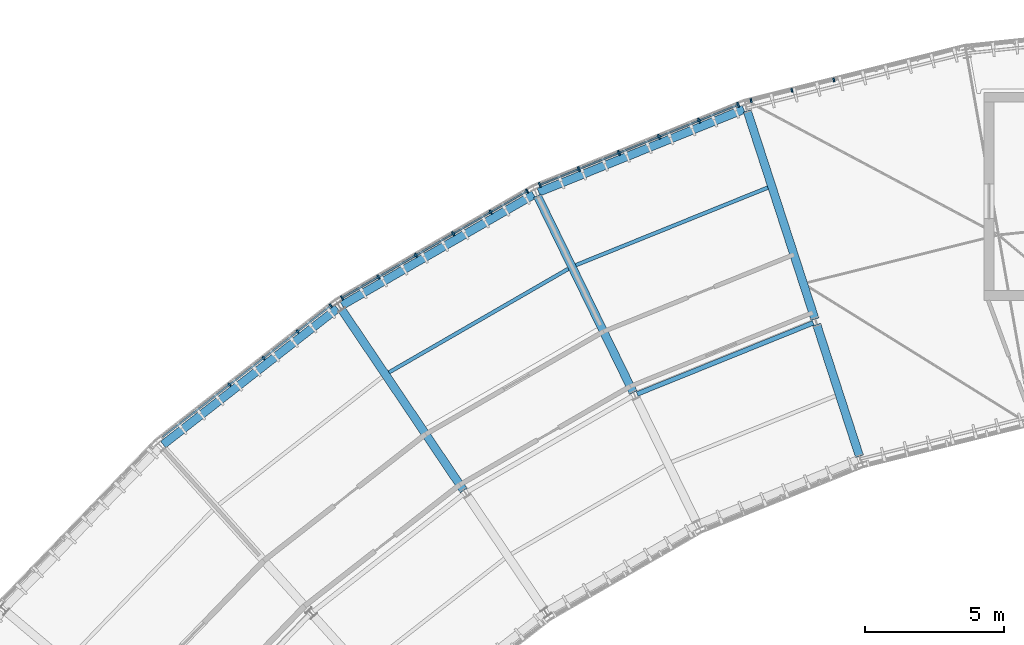
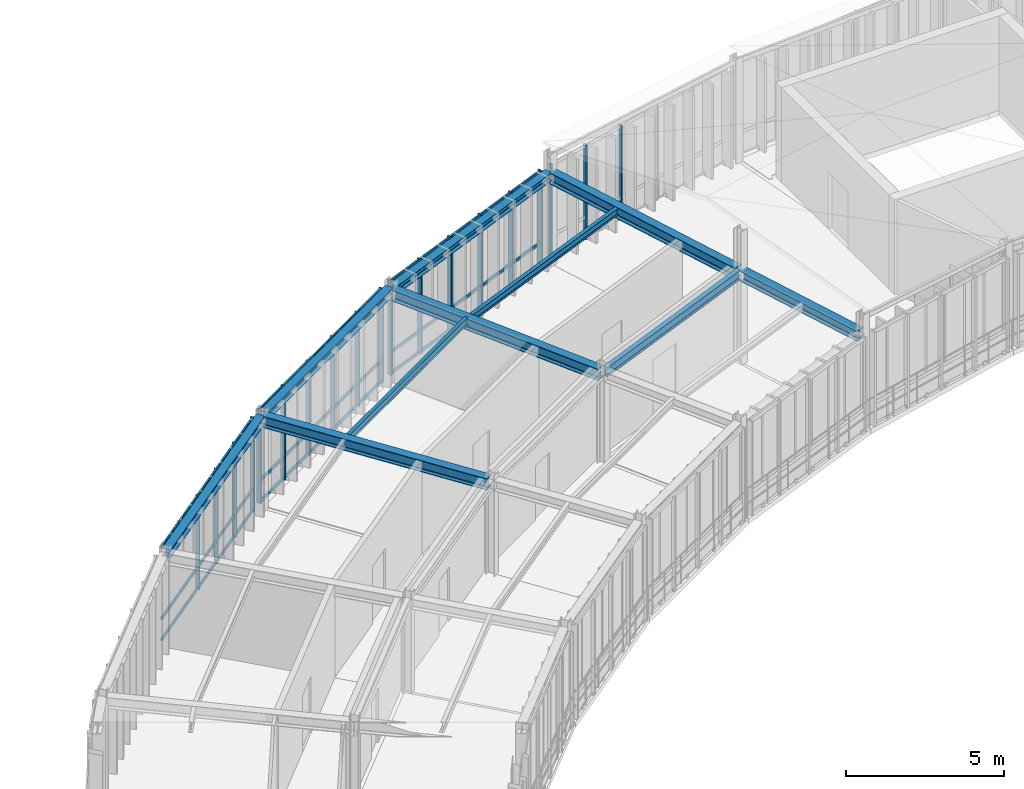
# One storey, part 14 of 42: 28 members, 10 beams, 4 elements without a shape of their own.
"""IFC4 building model written with IfcOpenShell, lengths in metres."""

from ifc_helpers import new_model, si_unit, direction, frame, origin, origin_2d, place, context, subcontext, project, spatial, rectangle, i_section, extrude, material, layer, layer_set, material_profile, profile_set, type_object, element, aggregate, save


model = new_model("IFC4")

# Units and contexts
model_context = context("Model", 3, precision=1e-05, world=origin(), true_north=direction((0.0, 1.0)))
body_context = subcontext(model_context, "Body", "Model", "MODEL_VIEW")
ifc_project = project(units=[si_unit("LENGTHUNIT", "METRE"), si_unit("AREAUNIT", "SQUARE_METRE"), si_unit("VOLUMEUNIT", "CUBIC_METRE"), si_unit("PLANEANGLEUNIT", "RADIAN"), si_unit("MASSUNIT", "GRAM", prefix="KILO"), si_unit("THERMODYNAMICTEMPERATUREUNIT", "KELVIN"), si_unit("POWERUNIT", "WATT")], contexts=[model_context])

# Site, building, storey
site_placement = place(None, origin())
site = spatial("IfcSite", under=ifc_project, at=site_placement, CompositionType="ELEMENT")
building_placement = place(site_placement, origin())
building = spatial("IfcBuilding", under=site, at=building_placement, Name="Solvatero Civic Police Headquarters", CompositionType="ELEMENT")
storey_placement = place(building_placement, frame((0.0, 0.0, 21.60009765625)))
storey = spatial("IfcBuildingStorey", under=building, at=storey_placement, Name="L05", CompositionType="ELEMENT", Elevation=21.60009765625)

# Beams
ifc_material_1 = material(Name="Steel S355", Category="steel")
ifc_material_profile_1 = material_profile(ifc_material_1, i_section(OverallWidth=0.300048828125, OverallDepth=0.31005859375, WebThickness=0.009033203125, FlangeThickness=0.015380859375, FilletRadius=0.027099609375, at=origin_2d()), Name="HEA 320")
ifc_profile_set_1 = profile_set([ifc_material_profile_1], Name="Steel S355")
beam_type_1 = type_object("IfcBeamType", Name="BM-ST-HEA320", PredefinedType="SPANDREL", material=ifc_profile_set_1)
beam_1_placement = place(storey_placement, frame((75.783447265625, 81.741943359375, 3.48486328125), z_axis=(-0.927188731, -0.374594523594, 0.0), x_axis=(0.374594523594, -0.927188731, 0.0)))
element("IfcBeam", 1, at=beam_1_placement, inside=storey, type_object=beam_type_1, Name="Perimeter / radial spandrel beam BM-R2-L05-ARC-COUT-B04", PredefinedType="SPANDREL", context=body_context, shape_type="SweptSolid", body=[
    extrude(i_section(OverallWidth=0.300048828125, OverallDepth=0.31005859375, WebThickness=0.009033203125, FlangeThickness=0.015380859375, FilletRadius=0.027099609375, at=origin_2d()), origin(), (0.0, 0.0, 1.0), 7.982666015625),
])
for number, where, z_axis, x_axis, name in (
    (2, (68.202880859375, 78.664306640625, 3.544921875), (-0.866028717572, -0.499994260308, 0.0), (0.499994260308, -0.866028717572, 0.0), "Perimeter / radial spandrel beam BM-R2-L05-ARC-COUT-B05"),
    (3, (61.12451171875, 74.5615234375, 3.544921875), (-0.788008144593, -0.615664814696, 0.0), (0.615664814696, -0.788008144593, 0.0), "Perimeter / radial spandrel beam BM-R2-L05-ARC-COUT-B06"),
):
    element("IfcBeam", number, at=place(storey_placement, frame(where, z_axis=z_axis, x_axis=x_axis)), inside=storey, type_object=beam_type_1, Name=name, PredefinedType="SPANDREL", context=body_context, shape_type="SweptSolid", body=[
        extrude(i_section(OverallWidth=0.300048828125, OverallDepth=0.31005859375, WebThickness=0.009033203125, FlangeThickness=0.015380859375, FilletRadius=0.027099609375, at=origin_2d()), origin(), (0.0, 0.0, 1.0), 7.982421875),
    ])
ifc_material_profile_2 = material_profile(ifc_material_1, i_section(OverallWidth=0.300048828125, OverallDepth=0.389892578125, WebThickness=0.010986328125, FlangeThickness=0.01904296875, FilletRadius=0.027099609375, at=origin_2d()), Name="HEA 400")
ifc_profile_set_2 = profile_set([ifc_material_profile_2], Name="Steel S355")
beam_type_2 = type_object("IfcBeamType", Name="BM-ST-HEA400", PredefinedType="BEAM", material=ifc_profile_set_2)
beam_2_placement = place(storey_placement, frame((79.955078125, 69.2255859375, 3.44482421875), z_axis=(-0.308996636599, 0.951063130697, 0.0), x_axis=(-0.951063130697, -0.308996636599, 0.0)))
element("IfcBeam", 4, at=beam_2_placement, inside=storey, type_object=beam_type_2, Name="Primary girder BM-R2-L05-ARC-RAD1-S03", PredefinedType="BEAM", context=body_context, shape_type="SweptSolid", body=[
    extrude(i_section(OverallWidth=0.300048828125, OverallDepth=0.389892578125, WebThickness=0.010986328125, FlangeThickness=0.01904296875, FilletRadius=0.027099609375, at=origin_2d()), origin(), (0.0, 0.0, 1.0), 4.999755859375),
])
ifc_material_profile_3 = material_profile(ifc_material_1, i_section(OverallWidth=0.300048828125, OverallDepth=0.43994140625, WebThickness=0.011474609375, FlangeThickness=0.02099609375, FilletRadius=0.027099609375, at=origin_2d()), Name="HEA 450")
ifc_profile_set_3 = profile_set([ifc_material_profile_3], Name="Steel S355")
beam_type_3 = type_object("IfcBeamType", Name="BM-ST-HEA450", PredefinedType="BEAM", material=ifc_profile_set_3)
for number, where, z_axis, x_axis, name in (
    (5, (78.348388671875, 74.1708984375, 3.419921875), (-0.309033663672, 0.951051099951, 0.0), (-0.951051099951, -0.309033663672, 0.0), "Primary girder BM-R2-L05-ARC-RAD2-S03"),
    (6, (71.79638671875, 71.52392578125, 3.419921875), (-0.438365789194, 0.898796659353, 0.0), (-0.898796659353, -0.438365789194, 0.0), "Primary girder BM-R2-L05-ARC-RAD2-S04"),
    (7, (65.677001953125, 67.99072265625, 3.47998046875), (-0.559192054274, 0.829038145345, 0.0), (-0.829038145345, -0.559192054274, 0.0), "Primary girder BM-R2-L05-ARC-RAD2-S05"),
):
    element("IfcBeam", number, at=place(storey_placement, frame(where, z_axis=z_axis, x_axis=x_axis)), inside=storey, type_object=beam_type_3, Name=name, PredefinedType="BEAM", context=body_context, shape_type="SweptSolid", body=[
        extrude(i_section(OverallWidth=0.300048828125, OverallDepth=0.43994140625, WebThickness=0.011474609375, FlangeThickness=0.02099609375, FilletRadius=0.027099609375, at=origin_2d()), origin(), (0.0, 0.0, 1.0), 7.900146484375),
    ])
ifc_material_profile_4 = material_profile(ifc_material_1, i_section(OverallWidth=0.135009765625, OverallDepth=0.27001953125, WebThickness=0.006591796875, FlangeThickness=0.01025390625, FilletRadius=0.014892578125, at=origin_2d()), Name="IPE 270")
ifc_profile_set_4 = profile_set([ifc_material_profile_4], Name="Steel S355")
beam_type_4 = type_object("IfcBeamType", Name="BM-ST-IPE270", PredefinedType="BEAM", material=ifc_profile_set_4)
for number, where, z_axis, x_axis, name in (
    (8, (76.648681640625, 78.91748046875, 3.5048828125), (-0.92718880438, -0.374594341966, 0.0), (0.374594341966, -0.92718880438, 0.0), "Composite floor beam BM-R2-L05-ARC-CS2-B04"),
    (9, (69.452880859375, 75.98779296875, 3.56494140625), (-0.866030490612, -0.499991189252, 0.0), (0.499991189252, -0.866030490612, 0.0), "Composite floor beam BM-R2-L05-ARC-CS2-B05"),
):
    element("IfcBeam", number, at=place(storey_placement, frame(where, z_axis=z_axis, x_axis=x_axis)), inside=storey, type_object=beam_type_4, Name=name, PredefinedType="BEAM", context=body_context, shape_type="SweptSolid", body=[
        extrude(i_section(OverallWidth=0.135009765625, OverallDepth=0.27001953125, WebThickness=0.006591796875, FlangeThickness=0.01025390625, FilletRadius=0.014892578125, at=origin_2d()), origin(), (0.0, 0.0, 1.0), 7.470947265625),
    ])
ifc_material_profile_5 = material_profile(ifc_material_1, i_section(OverallWidth=0.169921875, OverallDepth=0.360107421875, WebThickness=0.008056640625, FlangeThickness=0.0126953125, FilletRadius=0.01806640625, at=origin_2d()), Name="IPE 360")
ifc_profile_set_5 = profile_set([ifc_material_profile_5], Name="Steel S355")
beam_type_5 = type_object("IfcBeamType", Name="BM-ST-IPE360", PredefinedType="BEAM", material=ifc_profile_set_5)
beam_3_placement = place(storey_placement, frame((78.28662109375, 74.038330078125, 3.4599609375), z_axis=(-0.927188538339, -0.374595000465, 0.0), x_axis=(0.374595000465, -0.927188538339, 0.0)))
element("IfcBeam", 10, at=beam_3_placement, inside=storey, type_object=beam_type_5, Name="Composite floor beam BM-R2-L05-ARC-CMID-B04", PredefinedType="BEAM", context=body_context, shape_type="SweptSolid", body=[
    extrude(i_section(OverallWidth=0.169921875, OverallDepth=0.360107421875, WebThickness=0.008056640625, FlangeThickness=0.0126953125, FilletRadius=0.01806640625, at=origin_2d()), origin(), (0.0, 0.0, 1.0), 6.8525390625),
])

# Curtain wall, members
ifc_material_2 = material(Name="Anodized Bronze Aluminium", Category="aluminium")
ifc_layer = layer(ifc_material_2, 0.179931640625)
ifc_layer_set = layer_set([ifc_layer], Name="Anodized Bronze Aluminium")
curtain_wall_type = type_object("IfcCurtainWallType", Name="CW-ARC-OUT", PredefinedType="USERDEFINED", material=ifc_layer_set)
curtain_wall_1_placement = place(storey_placement, origin())
curtain_wall_1 = element("IfcCurtainWall", 11, at=curtain_wall_1_placement, inside=storey, type_object=curtain_wall_type, Name="Curtain Wall CW-R2-L05-ARC-OUT-B03", ObjectType="UNITISED", PredefinedType="USERDEFINED")
ifc_material_profile_6 = material_profile(ifc_material_2, rectangle(XDim=0.06005859375, YDim=0.139892578125, at=origin_2d()), Name="ALU MULLION 60x140")
ifc_profile_set_6 = profile_set([ifc_material_profile_6], Name="Anodized Bronze Aluminium")
member_type_1 = type_object("IfcMemberType", Name="CWM-160x65", PredefinedType="MULLION", material=ifc_profile_set_6)
member_1_placement = place(storey_placement, frame((79.029296875, 82.802001953125, 0.0), z_axis=(0.0, 0.0, 1.0), x_axis=(-0.970295726276, -0.2419218956, 0.0)))
member_1 = element("IfcMember", 12, at=member_1_placement, type_object=member_type_1, Name="CW-R2-L05-ARC-OUT-B03 Mullion 4", PredefinedType="MULLION", context=body_context, shape_type="SweptSolid", body=[
    extrude(rectangle(XDim=0.06005859375, YDim=0.139892578125, at=origin_2d()), origin(), (0.0, 0.0, 1.0), 3.639892578125),
])
member_2_placement = place(storey_placement, frame((77.517333984375, 82.425048828125, 0.0), z_axis=(0.0, 0.0, 1.0), x_axis=(-0.970295726276, -0.2419218956, 0.0)))
member_2 = element("IfcMember", 13, at=member_2_placement, type_object=member_type_1, Name="CW-R2-L05-ARC-OUT-B03 Mullion 5", PredefinedType="MULLION", context=body_context, shape_type="SweptSolid", body=[
    extrude(rectangle(XDim=0.06005859375, YDim=0.139892578125, at=origin_2d()), origin(), (0.0, 0.0, 1.0), 3.639892578125),
])
member_3_placement = place(storey_placement, frame((76.0439453125, 82.0576171875, 0.0), z_axis=(0.0, 0.0, 1.0), x_axis=(-0.970295726276, -0.2419218956, 0.0)))
member_3 = element("IfcMember", 14, at=member_3_placement, type_object=member_type_1, Name="CW-R2-L05-ARC-OUT-B03 Mullion 6", PredefinedType="MULLION", context=body_context, shape_type="SweptSolid", body=[
    extrude(rectangle(XDim=0.06005859375, YDim=0.139892578125, at=origin_2d()), origin(), (0.0, 0.0, 1.0), 3.639892578125),
])
aggregate(curtain_wall_1, [member_1, member_2, member_3])

curtain_wall_2_placement = place(storey_placement, origin())
curtain_wall_2 = element("IfcCurtainWall", 15, at=curtain_wall_2_placement, inside=storey, type_object=curtain_wall_type, Name="Curtain Wall CW-R2-L05-ARC-OUT-B06", ObjectType="UNITISED", PredefinedType="USERDEFINED")
member_4_placement = place(storey_placement, frame((60.880859375, 74.662353515625, 0.0), z_axis=(0.0, 0.0, 1.0), x_axis=(-0.788010753607, -0.615661475326, 0.0)))
member_4 = element("IfcMember", 16, at=member_4_placement, type_object=member_type_1, Name="CW-R2-L05-ARC-OUT-B06 Mullion 1", PredefinedType="MULLION", context=body_context, shape_type="SweptSolid", body=[
    extrude(rectangle(XDim=0.06005859375, YDim=0.139892578125, at=origin_2d()), origin(), (0.0, 0.0, 1.0), 3.639892578125),
])
member_5_placement = place(storey_placement, frame((59.684326171875, 73.727294921875, 0.0), z_axis=(0.0, 0.0, 1.0), x_axis=(-0.788010753607, -0.615661475326, 0.0)))
member_5 = element("IfcMember", 17, at=member_5_placement, type_object=member_type_1, Name="CW-R2-L05-ARC-OUT-B06 Mullion 2", PredefinedType="MULLION", context=body_context, shape_type="SweptSolid", body=[
    extrude(rectangle(XDim=0.06005859375, YDim=0.139892578125, at=origin_2d()), origin(), (0.0, 0.0, 1.0), 3.639892578125),
])
member_6_placement = place(storey_placement, frame((58.456298828125, 72.767822265625, 0.0), z_axis=(0.0, 0.0, 1.0), x_axis=(-0.788010753607, -0.615661475326, 0.0)))
member_6 = element("IfcMember", 18, at=member_6_placement, type_object=member_type_1, Name="CW-R2-L05-ARC-OUT-B06 Mullion 3", PredefinedType="MULLION", context=body_context, shape_type="SweptSolid", body=[
    extrude(rectangle(XDim=0.06005859375, YDim=0.139892578125, at=origin_2d()), origin(), (0.0, 0.0, 1.0), 3.639892578125),
])
member_7_placement = place(storey_placement, frame((57.22802734375, 71.808349609375, 0.0), z_axis=(0.0, 0.0, 1.0), x_axis=(-0.788010753607, -0.615661475326, 0.0)))
member_7 = element("IfcMember", 19, at=member_7_placement, type_object=member_type_1, Name="CW-R2-L05-ARC-OUT-B06 Mullion 4", PredefinedType="MULLION", context=body_context, shape_type="SweptSolid", body=[
    extrude(rectangle(XDim=0.06005859375, YDim=0.139892578125, at=origin_2d()), origin(), (0.0, 0.0, 1.0), 3.639892578125),
])

curtain_wall_3_placement = place(storey_placement, origin())
curtain_wall_3 = element("IfcCurtainWall", 20, at=curtain_wall_3_placement, inside=storey, type_object=curtain_wall_type, Name="Curtain Wall CW-R2-L05-ARC-OUT-B05", ObjectType="UNITISED", PredefinedType="USERDEFINED")
ifc_material_profile_7 = material_profile(ifc_material_2, rectangle(XDim=0.06005859375, YDim=0.159912109375, at=origin_2d()), Name="ALU MULLION 60x160")
ifc_profile_set_7 = profile_set([ifc_material_profile_7], Name="Anodized Bronze Aluminium")
member_type_2 = type_object("IfcMemberType", Name="CWM-180x70", PredefinedType="MULLION", material=ifc_profile_set_7)
member_8_placement = place(storey_placement, frame((67.967041015625, 78.79296875, 0.0), z_axis=(0.0, 0.0, 1.0), x_axis=(-0.866034130299, -0.499984884929, 0.0)))
member_8 = element("IfcMember", 21, at=member_8_placement, type_object=member_type_2, Name="CW-R2-L05-ARC-OUT-B05 Mullion 1", PredefinedType="MULLION", context=body_context, shape_type="SweptSolid", body=[
    extrude(rectangle(XDim=0.06005859375, YDim=0.159912109375, at=origin_2d()), origin(), (0.0, 0.0, 1.0), 3.639892578125),
])
member_9_placement = place(storey_placement, frame((66.65185546875, 78.03369140625, 0.0), z_axis=(0.0, 0.0, 1.0), x_axis=(-0.866034130299, -0.499984884929, 0.0)))
member_9 = element("IfcMember", 22, at=member_9_placement, type_object=member_type_2, Name="CW-R2-L05-ARC-OUT-B05 Mullion 2", PredefinedType="MULLION", context=body_context, shape_type="SweptSolid", body=[
    extrude(rectangle(XDim=0.06005859375, YDim=0.159912109375, at=origin_2d()), origin(), (0.0, 0.0, 1.0), 3.639892578125),
])
member_10_placement = place(storey_placement, frame((65.30224609375, 77.25439453125, 0.0), z_axis=(0.0, 0.0, 1.0), x_axis=(-0.866034130299, -0.499984884929, 0.0)))
member_10 = element("IfcMember", 23, at=member_10_placement, type_object=member_type_2, Name="CW-R2-L05-ARC-OUT-B05 Mullion 3", PredefinedType="MULLION", context=body_context, shape_type="SweptSolid", body=[
    extrude(rectangle(XDim=0.06005859375, YDim=0.159912109375, at=origin_2d()), origin(), (0.0, 0.0, 1.0), 3.639892578125),
])
member_11_placement = place(storey_placement, frame((63.95263671875, 76.47509765625, 0.0), z_axis=(0.0, 0.0, 1.0), x_axis=(-0.866034130299, -0.499984884929, 0.0)))
member_11 = element("IfcMember", 24, at=member_11_placement, type_object=member_type_2, Name="CW-R2-L05-ARC-OUT-B05 Mullion 4", PredefinedType="MULLION", context=body_context, shape_type="SweptSolid", body=[
    extrude(rectangle(XDim=0.06005859375, YDim=0.159912109375, at=origin_2d()), origin(), (0.0, 0.0, 1.0), 3.639892578125),
])
member_12_placement = place(storey_placement, frame((62.602783203125, 75.69580078125, 0.0), z_axis=(0.0, 0.0, 1.0), x_axis=(-0.866034130299, -0.499984884929, 0.0)))
member_12 = element("IfcMember", 25, at=member_12_placement, type_object=member_type_2, Name="CW-R2-L05-ARC-OUT-B05 Mullion 5", PredefinedType="MULLION", context=body_context, shape_type="SweptSolid", body=[
    extrude(rectangle(XDim=0.06005859375, YDim=0.159912109375, at=origin_2d()), origin(), (0.0, 0.0, 1.0), 3.639892578125),
])
member_13_placement = place(storey_placement, frame((61.287841796875, 74.936767578125, 0.0), z_axis=(0.0, 0.0, 1.0), x_axis=(-0.866034130299, -0.499984884929, 0.0)))
member_13 = element("IfcMember", 26, at=member_13_placement, type_object=member_type_2, Name="CW-R2-L05-ARC-OUT-B05 Mullion 6", PredefinedType="MULLION", context=body_context, shape_type="SweptSolid", body=[
    extrude(rectangle(XDim=0.06005859375, YDim=0.159912109375, at=origin_2d()), origin(), (0.0, 0.0, 1.0), 3.639892578125),
])

curtain_wall_4_placement = place(storey_placement, origin())
curtain_wall_4 = element("IfcCurtainWall", 27, at=curtain_wall_4_placement, inside=storey, type_object=curtain_wall_type, Name="Curtain Wall CW-R2-L05-ARC-OUT-B04", ObjectType="UNITISED", PredefinedType="USERDEFINED")
ifc_material_profile_8 = material_profile(ifc_material_2, rectangle(XDim=0.06494140625, YDim=0.179931640625, at=origin_2d()), Name="ALU MULLION 65x180")
ifc_profile_set_8 = profile_set([ifc_material_profile_8], Name="Anodized Bronze Aluminium")
member_type_3 = type_object("IfcMemberType", Name="CWM-200x75", PredefinedType="MULLION", material=ifc_profile_set_8)
member_14_placement = place(storey_placement, frame((75.576904296875, 81.906005859375, 0.0), z_axis=(0.0, 0.0, 1.0), x_axis=(-0.927183854567, -0.374606593416, 0.0)))
member_14 = element("IfcMember", 28, at=member_14_placement, type_object=member_type_3, Name="CW-R2-L05-ARC-OUT-B04 Mullion 1", PredefinedType="MULLION", context=body_context, shape_type="SweptSolid", body=[
    extrude(rectangle(XDim=0.06494140625, YDim=0.179931640625, at=origin_2d()), origin(), (0.0, 0.0, 1.0), 3.639892578125),
])
member_15_placement = place(storey_placement, frame((74.169189453125, 81.337158203125, 0.0), z_axis=(0.0, 0.0, 1.0), x_axis=(-0.927183854567, -0.374606593416, 0.0)))
member_15 = element("IfcMember", 29, at=member_15_placement, type_object=member_type_3, Name="CW-R2-L05-ARC-OUT-B04 Mullion 2", PredefinedType="MULLION", context=body_context, shape_type="SweptSolid", body=[
    extrude(rectangle(XDim=0.06494140625, YDim=0.179931640625, at=origin_2d()), origin(), (0.0, 0.0, 1.0), 3.639892578125),
])
member_16_placement = place(storey_placement, frame((72.72412109375, 80.75341796875, 0.0), z_axis=(0.0, 0.0, 1.0), x_axis=(-0.927183854567, -0.374606593416, 0.0)))
member_16 = element("IfcMember", 30, at=member_16_placement, type_object=member_type_3, Name="CW-R2-L05-ARC-OUT-B04 Mullion 3", PredefinedType="MULLION", context=body_context, shape_type="SweptSolid", body=[
    extrude(rectangle(XDim=0.06494140625, YDim=0.179931640625, at=origin_2d()), origin(), (0.0, 0.0, 1.0), 3.639892578125),
])
member_17_placement = place(storey_placement, frame((71.279052734375, 80.16943359375, 0.0), z_axis=(0.0, 0.0, 1.0), x_axis=(-0.927183854567, -0.374606593416, 0.0)))
member_17 = element("IfcMember", 31, at=member_17_placement, type_object=member_type_3, Name="CW-R2-L05-ARC-OUT-B04 Mullion 4", PredefinedType="MULLION", context=body_context, shape_type="SweptSolid", body=[
    extrude(rectangle(XDim=0.06494140625, YDim=0.179931640625, at=origin_2d()), origin(), (0.0, 0.0, 1.0), 3.639892578125),
])
member_18_placement = place(storey_placement, frame((69.833984375, 79.585693359375, 0.0), z_axis=(0.0, 0.0, 1.0), x_axis=(-0.927183854567, -0.374606593416, 0.0)))
member_18 = element("IfcMember", 32, at=member_18_placement, type_object=member_type_3, Name="CW-R2-L05-ARC-OUT-B04 Mullion 5", PredefinedType="MULLION", context=body_context, shape_type="SweptSolid", body=[
    extrude(rectangle(XDim=0.06494140625, YDim=0.179931640625, at=origin_2d()), origin(), (0.0, 0.0, 1.0), 3.639892578125),
])
member_19_placement = place(storey_placement, frame((68.426025390625, 79.016845703125, 0.0), z_axis=(0.0, 0.0, 1.0), x_axis=(-0.927183854567, -0.374606593416, 0.0)))
member_19 = element("IfcMember", 33, at=member_19_placement, type_object=member_type_3, Name="CW-R2-L05-ARC-OUT-B04 Mullion 6", PredefinedType="MULLION", context=body_context, shape_type="SweptSolid", body=[
    extrude(rectangle(XDim=0.06494140625, YDim=0.179931640625, at=origin_2d()), origin(), (0.0, 0.0, 1.0), 3.639892578125),
])
ifc_material_profile_9 = material_profile(ifc_material_2, rectangle(XDim=0.06005859375, YDim=0.110107421875, at=origin_2d()), Name="ALU TRANSOM 60x110")
ifc_profile_set_9 = profile_set([ifc_material_profile_9], Name="Anodized Bronze Aluminium")
member_type_4 = type_object("IfcMemberType", Name="CWT-140x60", PredefinedType="USERDEFINED", material=ifc_profile_set_9)
member_20_placement = place(storey_placement, frame((75.567626953125, 81.90234375, 0.039794921875), z_axis=(-0.927175279968, -0.374627815593, 0.0), x_axis=(0.374627815593, -0.927175279968, 0.0)))
member_20 = element("IfcMember", 34, at=member_20_placement, type_object=member_type_4, Name="CW-R2-L05-ARC-OUT-B04 Transom 1", ObjectType="TRANSOM", PredefinedType="USERDEFINED", context=body_context, shape_type="SweptSolid", body=[
    extrude(rectangle(XDim=0.06005859375, YDim=0.110107421875, at=origin_2d()), origin(), (0.0, 0.0, 1.0), 7.692626953125),
])
member_21_placement = place(storey_placement, frame((75.567626953125, 81.90234375, 0.849853515625), z_axis=(-0.927175279968, -0.374627815593, 0.0), x_axis=(0.374627815593, -0.927175279968, 0.0)))
member_21 = element("IfcMember", 35, at=member_21_placement, type_object=member_type_4, Name="CW-R2-L05-ARC-OUT-B04 Transom 2", ObjectType="TRANSOM", PredefinedType="USERDEFINED", context=body_context, shape_type="SweptSolid", body=[
    extrude(rectangle(XDim=0.06005859375, YDim=0.110107421875, at=origin_2d()), origin(), (0.0, 0.0, 1.0), 7.692626953125),
])
member_22_placement = place(storey_placement, frame((75.567626953125, 81.90234375, 3.599853515625), z_axis=(-0.927175279968, -0.374627815593, 0.0), x_axis=(0.374627815593, -0.927175279968, 0.0)))
member_22 = element("IfcMember", 36, at=member_22_placement, type_object=member_type_4, Name="CW-R2-L05-ARC-OUT-B04 Transom 3", ObjectType="TRANSOM", PredefinedType="USERDEFINED", context=body_context, shape_type="SweptSolid", body=[
    extrude(rectangle(XDim=0.06005859375, YDim=0.110107421875, at=origin_2d()), origin(), (0.0, 0.0, 1.0), 7.692626953125),
])
aggregate(curtain_wall_4, [member_14, member_15, member_16, member_17, member_18, member_19, member_20, member_21, member_22])

# Member
member_23_placement = place(storey_placement, frame((60.873046875, 74.656005859375, 0.039794921875), z_axis=(-0.788019080846, -0.615650816797, 0.0), x_axis=(0.615650816797, -0.788019080846, 0.0)))
member_23 = element("IfcMember", 37, at=member_23_placement, type_object=member_type_4, Name="CW-R2-L05-ARC-OUT-B06 Transom 1", ObjectType="TRANSOM", PredefinedType="USERDEFINED", context=body_context, shape_type="SweptSolid", body=[
    extrude(rectangle(XDim=0.06005859375, YDim=0.110107421875, at=origin_2d()), origin(), (0.0, 0.0, 1.0), 7.6923828125),
])

member_24_placement = place(storey_placement, frame((60.873046875, 74.656005859375, 0.849853515625), z_axis=(-0.788019080846, -0.615650816797, 0.0), x_axis=(0.615650816797, -0.788019080846, 0.0)))
member_24 = element("IfcMember", 38, at=member_24_placement, type_object=member_type_4, Name="CW-R2-L05-ARC-OUT-B06 Transom 2", ObjectType="TRANSOM", PredefinedType="USERDEFINED", context=body_context, shape_type="SweptSolid", body=[
    extrude(rectangle(XDim=0.06005859375, YDim=0.110107421875, at=origin_2d()), origin(), (0.0, 0.0, 1.0), 7.6923828125),
])

member_25_placement = place(storey_placement, frame((60.873046875, 74.656005859375, 3.599853515625), z_axis=(-0.788019080846, -0.615650816797, 0.0), x_axis=(0.615650816797, -0.788019080846, 0.0)))
member_25 = element("IfcMember", 39, at=member_25_placement, type_object=member_type_4, Name="CW-R2-L05-ARC-OUT-B06 Transom 3", ObjectType="TRANSOM", PredefinedType="USERDEFINED", context=body_context, shape_type="SweptSolid", body=[
    extrude(rectangle(XDim=0.06005859375, YDim=0.110107421875, at=origin_2d()), origin(), (0.0, 0.0, 1.0), 7.6923828125),
])

aggregate(curtain_wall_2, [member_4, member_5, member_6, member_7, member_23, member_24, member_25])

ifc_material_profile_10 = material_profile(ifc_material_2, rectangle(XDim=0.06005859375, YDim=0.125, at=origin_2d()), Name="ALU TRANSOM 60x125")
ifc_profile_set_10 = profile_set([ifc_material_profile_10], Name="Anodized Bronze Aluminium")
member_type_5 = type_object("IfcMemberType", Name="CWT-160x65", PredefinedType="USERDEFINED", material=ifc_profile_set_10)
member_26_placement = place(storey_placement, frame((67.958251953125, 78.787841796875, 0.039794921875), z_axis=(-0.866041301255, -0.499972463762, 0.0), x_axis=(0.499972463762, -0.866041301255, 0.0)))
member_26 = element("IfcMember", 40, at=member_26_placement, type_object=member_type_5, Name="CW-R2-L05-ARC-OUT-B05 Transom 1", ObjectType="TRANSOM", PredefinedType="USERDEFINED", context=body_context, shape_type="SweptSolid", body=[
    extrude(rectangle(XDim=0.06005859375, YDim=0.125, at=origin_2d()), origin(), (0.0, 0.0, 1.0), 7.6923828125),
])

member_27_placement = place(storey_placement, frame((67.958251953125, 78.787841796875, 0.849853515625), z_axis=(-0.866041301255, -0.499972463762, 0.0), x_axis=(0.499972463762, -0.866041301255, 0.0)))
member_27 = element("IfcMember", 41, at=member_27_placement, type_object=member_type_5, Name="CW-R2-L05-ARC-OUT-B05 Transom 2", ObjectType="TRANSOM", PredefinedType="USERDEFINED", context=body_context, shape_type="SweptSolid", body=[
    extrude(rectangle(XDim=0.06005859375, YDim=0.125, at=origin_2d()), origin(), (0.0, 0.0, 1.0), 7.6923828125),
])

member_28_placement = place(storey_placement, frame((67.958251953125, 78.787841796875, 3.599853515625), z_axis=(-0.866041301255, -0.499972463762, 0.0), x_axis=(0.499972463762, -0.866041301255, 0.0)))
member_28 = element("IfcMember", 42, at=member_28_placement, type_object=member_type_5, Name="CW-R2-L05-ARC-OUT-B05 Transom 3", ObjectType="TRANSOM", PredefinedType="USERDEFINED", context=body_context, shape_type="SweptSolid", body=[
    extrude(rectangle(XDim=0.06005859375, YDim=0.125, at=origin_2d()), origin(), (0.0, 0.0, 1.0), 7.6923828125),
])

aggregate(curtain_wall_3, [member_8, member_9, member_10, member_11, member_12, member_13, member_26, member_27, member_28])

save(model, "model.ifc")
